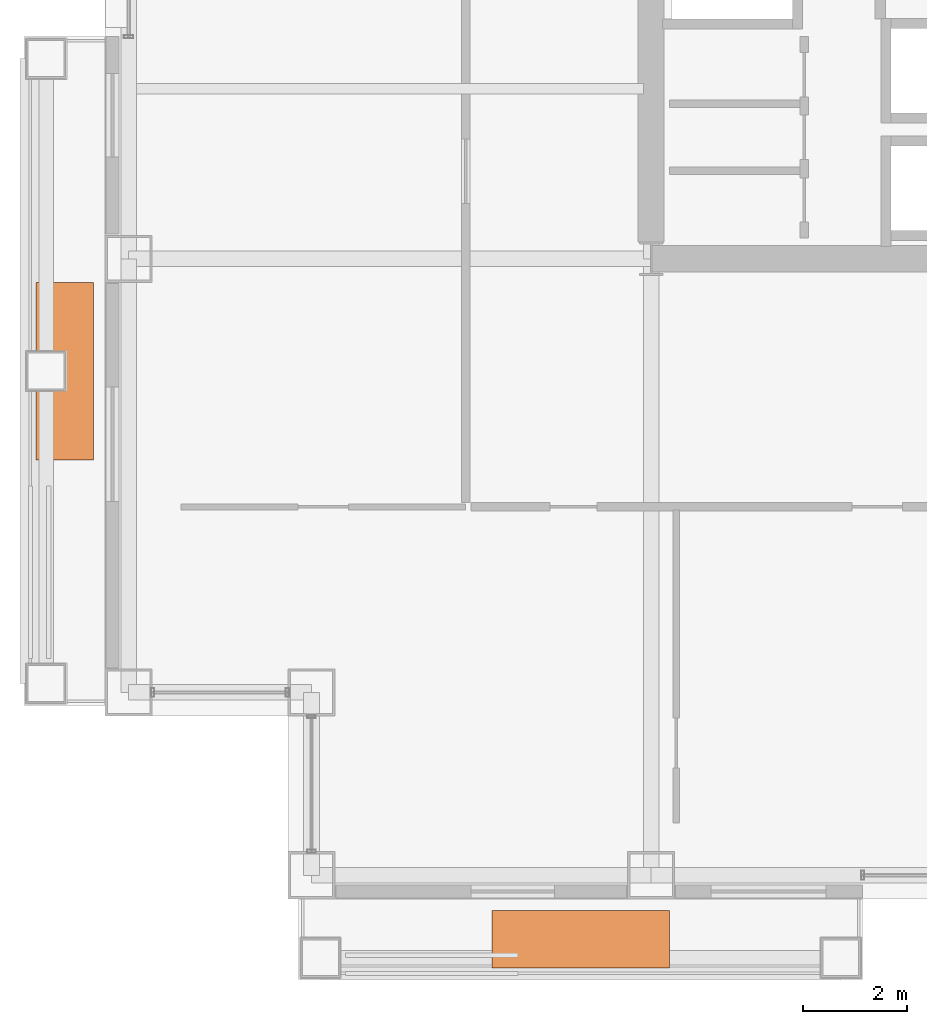
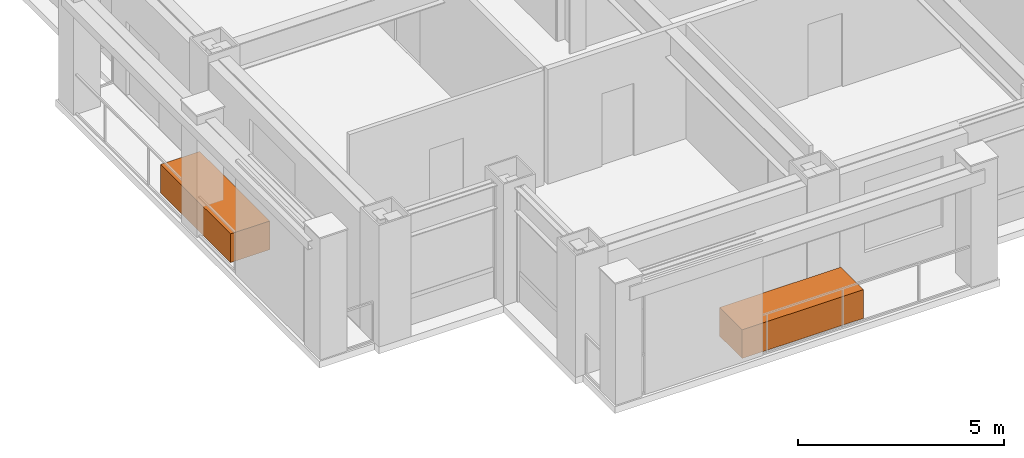
# One storey, part 30 of 30: 2 proxies.
"""IFC4 building model written with IfcOpenShell, lengths in metres."""

from ifc_helpers import new_model, si_unit, direction, frame, origin, origin_2d, place, context, subcontext, project, spatial, rectangle, extrude, material, type_object, element, save


model = new_model("IFC4")

# Units and contexts
model_context = context("Model", 3, precision=1e-05, world=origin(), true_north=direction((0.0, 1.0)))
body_context = subcontext(model_context, "Body", "Model", "MODEL_VIEW")
ifc_project = project(units=[si_unit("LENGTHUNIT", "METRE"), si_unit("AREAUNIT", "SQUARE_METRE"), si_unit("VOLUMEUNIT", "CUBIC_METRE"), si_unit("PLANEANGLEUNIT", "RADIAN"), si_unit("MASSUNIT", "GRAM", prefix="KILO")], contexts=[model_context])

# Site, building, storey
site_placement = place(None, origin())
site = spatial("IfcSite", under=ifc_project, at=site_placement, CompositionType="ELEMENT")
building_placement = place(site_placement, origin())
building = spatial("IfcBuilding", under=site, at=building_placement, Name="Brelmoor Portico Tower", CompositionType="ELEMENT")
storey_placement = place(building_placement, frame((0.0, 0.0, 74.39990234375)))
storey = spatial("IfcBuildingStorey", under=building, at=storey_placement, Name="L19", CompositionType="ELEMENT", Elevation=74.39990234375)

# Proxies
ifc_material = material(Name="Architectural Precast Concrete C40", Category="concrete")
building_element_proxy_type = type_object("IfcBuildingElementProxyType", Name="TREE PLANTER", PredefinedType="USERDEFINED", material=ifc_material)
for number, where, z_axis, x_axis, name in (
    (1, (-25.77490234375, -11.89990234375, 0.0), (0.0, 0.0, 1.0), (0.0, 1.0, 0.0), "L19 Planted Tree Planter W"),
    (2, (-15.89990234375, -22.77490234375, 0.0), (0.0, 0.0, 1.0), (1.0, 0.0, 0.0), "L19 Planted Tree Planter S"),
):
    element("IfcBuildingElementProxy", number, at=place(storey_placement, frame(where, z_axis=z_axis, x_axis=x_axis)), inside=storey, type_object=building_element_proxy_type, Name=name, ObjectType="PLANTER", PredefinedType="USERDEFINED", context=body_context, shape_type="SweptSolid", body=[
        extrude(rectangle(XDim=3.39990234375, YDim=1.10009765625, at=origin_2d()), origin(), (0.0, 0.0, 1.0), 0.85009765625),
    ])

save(model, "model.ifc")
